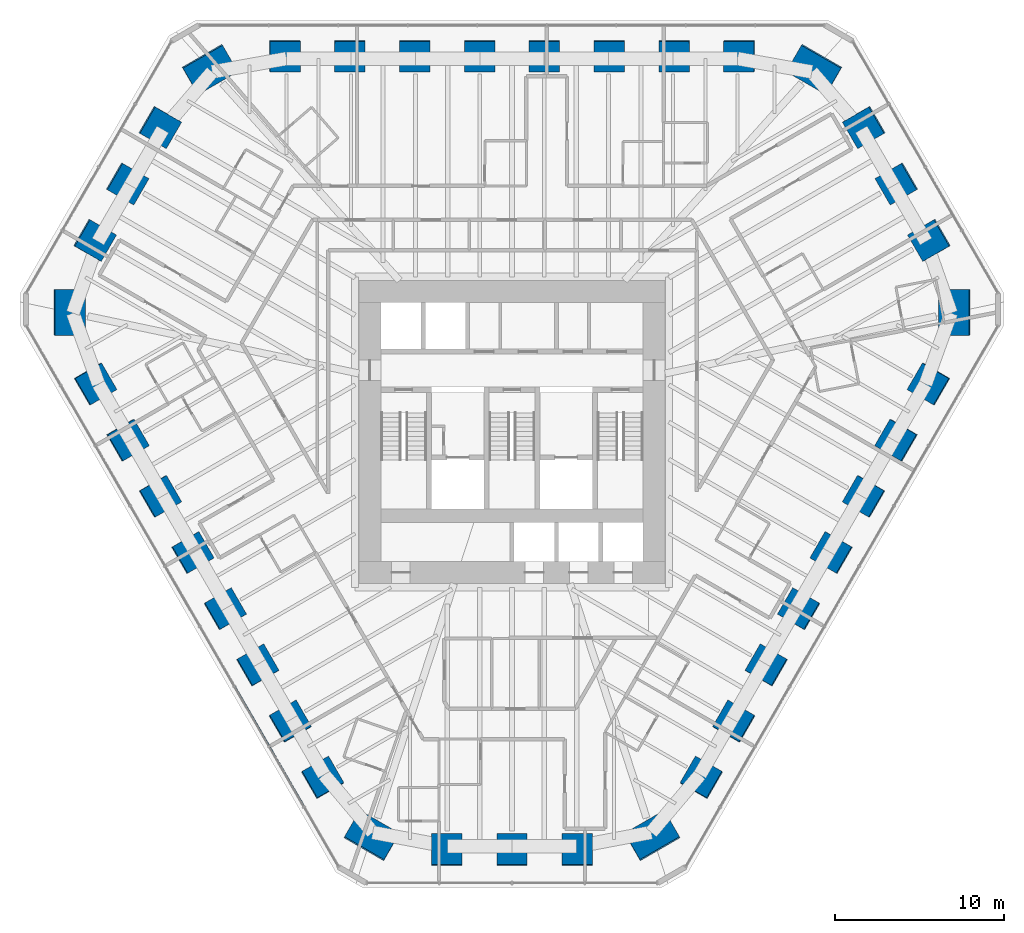
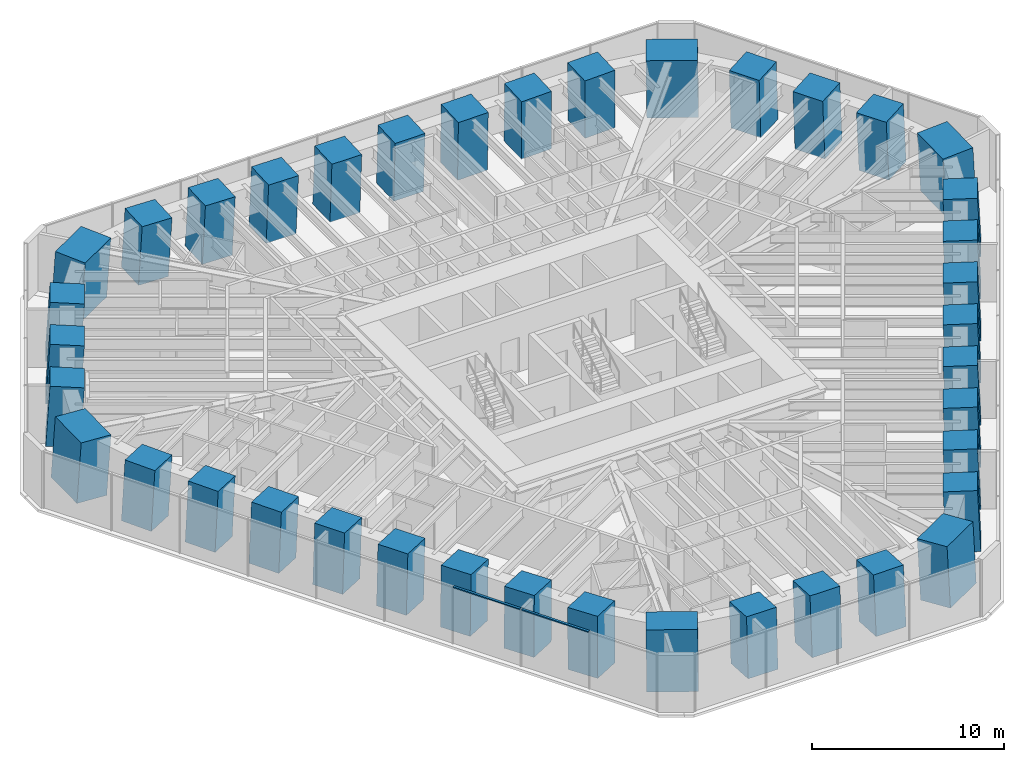
# One storey, part 1 of 17: 39 columns, 2 members, 1 element without a shape of its own.
"""IFC4 building model written with IfcOpenShell, lengths in metres."""

from ifc_helpers import new_model, si_unit, direction, frame, origin, origin_2d, place, context, subcontext, project, spatial, rectangle, extrude, material, material_profile, profile_set, type_object, element, aggregate, save


model = new_model("IFC4")

# Units and contexts
model_context = context("Model", 3, precision=1e-05, world=origin(), true_north=direction((0.0, 1.0)))
body_context = subcontext(model_context, "Body", "Model", "MODEL_VIEW")
ifc_project = project(units=[si_unit("LENGTHUNIT", "METRE"), si_unit("AREAUNIT", "SQUARE_METRE"), si_unit("VOLUMEUNIT", "CUBIC_METRE"), si_unit("PLANEANGLEUNIT", "RADIAN"), si_unit("MASSUNIT", "GRAM", prefix="KILO")], contexts=[model_context])

# Site, building, storey
site_placement = place(None, origin())
site = spatial("IfcSite", under=ifc_project, at=site_placement, CompositionType="ELEMENT")
building_placement = place(site_placement, origin())
building = spatial("IfcBuilding", under=site, at=building_placement, Name="Sandreach Pilgrim Tower", CompositionType="ELEMENT")
storey_placement = place(building_placement, frame((0.0, 0.0, 161.39990234375)))
storey = spatial("IfcBuildingStorey", under=building, at=storey_placement, Name="L40", CompositionType="ELEMENT", Elevation=161.39990234375)

# Columns
ifc_material_1 = material(Name="Concrete 10000 psi", Category="concrete")
ifc_material_profile_1 = material_profile(ifc_material_1, rectangle(XDim=1.800048828125, YDim=1.800048828125, at=origin_2d()), Name="RC1800X1800")
ifc_profile_set_1 = profile_set([ifc_material_profile_1], Name="Concrete 10000 psi")
column_type_1 = type_object("IfcColumnType", Name="Raked tube column RC1800X1800", PredefinedType="COLUMN", material=ifc_profile_set_1)
column_1_placement = place(storey_placement, frame((-13.4375, 20.69140625, 0.0), z_axis=(0.030661228378, -0.047210594322, 0.998414267155), x_axis=(0.001430243146, 0.998884958054, 0.047188928551)))
element("IfcColumn", 1, at=column_1_placement, inside=storey, type_object=column_type_1, Name="COL L40 T01", PredefinedType="COLUMN", context=body_context, shape_type="SweptSolid", body=[
    extrude(rectangle(XDim=1.800048828125, YDim=1.800048828125, at=origin_2d()), origin(), (0.0, 0.0, 1.0), 3.80615234375),
])
column_2_placement = place(storey_placement, frame((-9.598388671875, 20.691650390625, 0.0), z_axis=(0.021878437619, -0.047221495857, 0.998644813883), x_axis=(0.001498284872, 0.998884335352, 0.047199997152)))
element("IfcColumn", 2, at=column_2_placement, inside=storey, type_object=column_type_1, Name="COL L40 T02", PredefinedType="COLUMN", context=body_context, shape_type="SweptSolid", body=[
    extrude(rectangle(XDim=1.800048828125, YDim=1.800048828125, at=origin_2d()), origin(), (0.0, 0.0, 1.0), 3.80517578125),
])
column_3_placement = place(storey_placement, frame((-5.75927734375, 20.692138671875, 0.0), z_axis=(0.013154737098, -0.047228714653, 0.998797477672), x_axis=(0.000430917394, 0.998884083407, 0.047227134425)))
element("IfcColumn", 3, at=column_3_placement, inside=storey, type_object=column_type_1, Name="COL L40 T03", PredefinedType="COLUMN", context=body_context, shape_type="SweptSolid", body=[
    extrude(rectangle(XDim=1.800048828125, YDim=1.800048828125, at=origin_2d()), origin(), (0.0, 0.0, 1.0), 3.8046875),
])
for number, where, z_axis, x_axis, name in (
    (4, (-1.919677734375, 20.6923828125, 0.0), (0.004363858594, -0.047232351844, 0.998874397348), (0.000587857676, 0.998883856967, 0.047230230929), "COL L40 T04"),
    (5, (1.919677734375, 20.6923828125, 0.0), (-0.004363858594, -0.047232351844, 0.998874397348), (-0.000587857676, 0.998883856967, 0.047230230929), "COL L40 T05"),
):
    element("IfcColumn", number, at=place(storey_placement, frame(where, z_axis=z_axis, x_axis=x_axis)), inside=storey, type_object=column_type_1, Name=name, PredefinedType="COLUMN", context=body_context, shape_type="SweptSolid", body=[
        extrude(rectangle(XDim=1.800048828125, YDim=1.800048828125, at=origin_2d()), origin(), (0.0, 0.0, 1.0), 3.804443359375),
    ])
column_4_placement = place(storey_placement, frame((5.75927734375, 20.692138671875, 0.0), z_axis=(-0.013154737098, -0.047228714653, 0.998797477672), x_axis=(-0.000430917394, 0.998884083407, 0.047227134425)))
element("IfcColumn", 6, at=column_4_placement, inside=storey, type_object=column_type_1, Name="COL L40 T06", PredefinedType="COLUMN", context=body_context, shape_type="SweptSolid", body=[
    extrude(rectangle(XDim=1.800048828125, YDim=1.800048828125, at=origin_2d()), origin(), (0.0, 0.0, 1.0), 3.8046875),
])
column_5_placement = place(storey_placement, frame((9.598388671875, 20.691650390625, 0.0), z_axis=(-0.021878437619, -0.047221495857, 0.998644813883), x_axis=(-0.001498284872, 0.998884335352, 0.047199997152)))
element("IfcColumn", 7, at=column_5_placement, inside=storey, type_object=column_type_1, Name="COL L40 T07", PredefinedType="COLUMN", context=body_context, shape_type="SweptSolid", body=[
    extrude(rectangle(XDim=1.800048828125, YDim=1.800048828125, at=origin_2d()), origin(), (0.0, 0.0, 1.0), 3.80517578125),
])
column_6_placement = place(storey_placement, frame((13.4375, 20.69140625, 0.0), z_axis=(-0.030661228378, -0.047210594322, 0.998414267155), x_axis=(-0.001430243146, 0.998884958054, 0.047188928551)))
element("IfcColumn", 8, at=column_6_placement, inside=storey, type_object=column_type_1, Name="COL L40 T08", PredefinedType="COLUMN", context=body_context, shape_type="SweptSolid", body=[
    extrude(rectangle(XDim=1.800048828125, YDim=1.800048828125, at=origin_2d()), origin(), (0.0, 0.0, 1.0), 3.80615234375),
])
column_7_placement = place(storey_placement, frame((20.809326171875, 16.466552734375, 0.0), z_axis=(-0.046752521918, -0.037004396634, 0.998220855484), x_axis=(0.864714175605, 0.498788120692, 0.058989873412)))
element("IfcColumn", 9, at=column_7_placement, inside=storey, type_object=column_type_1, Name="COL L40 T10", PredefinedType="COLUMN", context=body_context, shape_type="SweptSolid", body=[
    extrude(rectangle(XDim=1.800048828125, YDim=1.800048828125, at=origin_2d()), origin(), (0.0, 0.0, 1.0), 3.806884765625),
])
column_8_placement = place(storey_placement, frame((22.737548828125, 13.127685546875, 0.0), z_axis=(-0.051115371342, -0.029501970913, 0.998256907076), x_axis=(0.864585430267, 0.499007902036, 0.059018196136)))
element("IfcColumn", 10, at=column_8_placement, inside=storey, type_object=column_type_1, Name="COL L40 T11", PredefinedType="COLUMN", context=body_context, shape_type="SweptSolid", body=[
    extrude(rectangle(XDim=1.800048828125, YDim=1.800048828125, at=origin_2d()), origin(), (0.0, 0.0, 1.0), 3.806640625),
])
column_9_placement = place(storey_placement, frame((24.6650390625, 9.7880859375, 0.0), z_axis=(-0.055410421986, -0.021997424469, 0.99822131737), x_axis=(0.864198060677, 0.499682708675, 0.058982222519)))
element("IfcColumn", 11, at=column_9_placement, inside=storey, type_object=column_type_1, Name="COL L40 T12", PredefinedType="COLUMN", context=body_context, shape_type="SweptSolid", body=[
    extrude(rectangle(XDim=1.800048828125, YDim=1.800048828125, at=origin_2d()), origin(), (0.0, 0.0, 1.0), 3.806884765625),
])
column_10_placement = place(storey_placement, frame((24.637939453125, 1.29150390625, 0.0), z_axis=(-0.056190949949, -0.002950666322, 0.998415680322), x_axis=(0.864380324341, -0.500621456598, 0.047167913724)))
element("IfcColumn", 12, at=column_10_placement, inside=storey, type_object=column_type_1, Name="COL L40 T14", PredefinedType="COLUMN", context=body_context, shape_type="SweptSolid", body=[
    extrude(rectangle(XDim=1.800048828125, YDim=1.800048828125, at=origin_2d()), origin(), (0.0, 0.0, 1.0), 3.80615234375),
])
column_11_placement = place(storey_placement, frame((22.71875, -2.033447265625, 0.0), z_axis=(-0.05184096697, 0.004683651719, 0.998644369909), x_axis=(0.8641219969, -0.501063474394, 0.047207722912)))
element("IfcColumn", 13, at=column_11_placement, inside=storey, type_object=column_type_1, Name="COL L40 T15", PredefinedType="COLUMN", context=body_context, shape_type="SweptSolid", body=[
    extrude(rectangle(XDim=1.800048828125, YDim=1.800048828125, at=origin_2d()), origin(), (0.0, 0.0, 1.0), 3.80517578125),
])
column_12_placement = place(storey_placement, frame((20.799560546875, -5.3583984375, 0.0), z_axis=(-0.047485394503, 0.012192195886, 0.998797520856), x_axis=(0.865155048747, -0.499275895122, 0.047226286935)))
element("IfcColumn", 14, at=column_12_placement, inside=storey, type_object=column_type_1, Name="COL L40 T16", PredefinedType="COLUMN", context=body_context, shape_type="SweptSolid", body=[
    extrude(rectangle(XDim=1.800048828125, YDim=1.800048828125, at=origin_2d()), origin(), (0.0, 0.0, 1.0), 3.8046875),
])
for number, where, z_axis, x_axis, name in (
    (15, (18.880126953125, -8.68359375, 0.0), (-0.043125124656, 0.019829856427, 0.998872864992), (0.865002196318, -0.499537256443, 0.047262350669), "COL L40 T17"),
    (16, (16.960205078125, -12.0087890625, 0.0), (-0.038697188268, 0.027402486551, 0.998875183069), (0.865138563863, -0.499305644722, 0.047213752927), "COL L40 T18"),
):
    element("IfcColumn", number, at=place(storey_placement, frame(where, z_axis=z_axis, x_axis=x_axis)), inside=storey, type_object=column_type_1, Name=name, PredefinedType="COLUMN", context=body_context, shape_type="SweptSolid", body=[
        extrude(rectangle(XDim=1.800048828125, YDim=1.800048828125, at=origin_2d()), origin(), (0.0, 0.0, 1.0), 3.804443359375),
    ])
column_13_placement = place(storey_placement, frame((15.040283203125, -15.33349609375, 0.0), z_axis=(-0.034330688643, 0.034972383758, 0.99879844623), x_axis=(0.86556895094, -0.498559709879, 0.047208122752)))
element("IfcColumn", 17, at=column_13_placement, inside=storey, type_object=column_type_1, Name="COL L40 T19", PredefinedType="COLUMN", context=body_context, shape_type="SweptSolid", body=[
    extrude(rectangle(XDim=1.800048828125, YDim=1.800048828125, at=origin_2d()), origin(), (0.0, 0.0, 1.0), 3.8046875),
])
column_14_placement = place(storey_placement, frame((13.120361328125, -18.658447265625, 0.0), z_axis=(-0.029962490236, 0.042601913311, 0.998642742006), x_axis=(0.865617982926, -0.498471929182, 0.047236039769)))
element("IfcColumn", 18, at=column_14_placement, inside=storey, type_object=column_type_1, Name="COL L40 T20", PredefinedType="COLUMN", context=body_context, shape_type="SweptSolid", body=[
    extrude(rectangle(XDim=1.800048828125, YDim=1.800048828125, at=origin_2d()), origin(), (0.0, 0.0, 1.0), 3.80517578125),
])
column_15_placement = place(storey_placement, frame((11.200439453125, -21.98291015625, 0.0), z_axis=(-0.025529655274, 0.050161282473, 0.998414784767), x_axis=(0.865565037486, -0.498569049576, 0.04718123236)))
element("IfcColumn", 19, at=column_15_placement, inside=storey, type_object=column_type_1, Name="COL L40 T21", PredefinedType="COLUMN", context=body_context, shape_type="SweptSolid", body=[
    extrude(rectangle(XDim=1.800048828125, YDim=1.800048828125, at=origin_2d()), origin(), (0.0, 0.0, 1.0), 3.80615234375),
])
column_16_placement = place(storey_placement, frame((3.855712890625, -26.254638671875, 0.0), z_axis=(-0.008657869889, 0.059001779984, 0.998220332015), x_axis=(-0.000629006962, -0.998257870617, 0.058998543208)))
element("IfcColumn", 20, at=column_16_placement, inside=storey, type_object=column_type_1, Name="COL L40 T23", PredefinedType="COLUMN", context=body_context, shape_type="SweptSolid", body=[
    extrude(rectangle(XDim=1.800048828125, YDim=1.800048828125, at=origin_2d()), origin(), (0.0, 0.0, 1.0), 3.806884765625),
])
column_17_placement = place(storey_placement, frame((0.0, -26.255126953125, 0.0), z_axis=(0.0, 0.059003991457, 0.998257746773), x_axis=(0.0, -0.998257746773, 0.059003991457)))
element("IfcColumn", 21, at=column_17_placement, inside=storey, type_object=column_type_1, Name="COL L40 T24", PredefinedType="COLUMN", context=body_context, shape_type="SweptSolid", body=[
    extrude(rectangle(XDim=1.800048828125, YDim=1.800048828125, at=origin_2d()), origin(), (0.0, 0.0, 1.0), 3.806640625),
])
column_18_placement = place(storey_placement, frame((-3.855712890625, -26.254638671875, 0.0), z_axis=(0.008657869889, 0.059001779984, 0.998220332015), x_axis=(0.000629006962, -0.998257870617, 0.058998543208)))
element("IfcColumn", 22, at=column_18_placement, inside=storey, type_object=column_type_1, Name="COL L40 T25", PredefinedType="COLUMN", context=body_context, shape_type="SweptSolid", body=[
    extrude(rectangle(XDim=1.800048828125, YDim=1.800048828125, at=origin_2d()), origin(), (0.0, 0.0, 1.0), 3.806884765625),
])
column_19_placement = place(storey_placement, frame((-11.200439453125, -21.98291015625, 0.0), z_axis=(0.025529655274, 0.050161282473, 0.998414784767), x_axis=(-0.865565037486, -0.498569049576, 0.04718123236)))
element("IfcColumn", 23, at=column_19_placement, inside=storey, type_object=column_type_1, Name="COL L40 T27", PredefinedType="COLUMN", context=body_context, shape_type="SweptSolid", body=[
    extrude(rectangle(XDim=1.800048828125, YDim=1.800048828125, at=origin_2d()), origin(), (0.0, 0.0, 1.0), 3.80615234375),
])
column_20_placement = place(storey_placement, frame((-13.120361328125, -18.658447265625, 0.0), z_axis=(0.029962490236, 0.042601913311, 0.998642742006), x_axis=(-0.865617982926, -0.498471929182, 0.047236039769)))
element("IfcColumn", 24, at=column_20_placement, inside=storey, type_object=column_type_1, Name="COL L40 T28", PredefinedType="COLUMN", context=body_context, shape_type="SweptSolid", body=[
    extrude(rectangle(XDim=1.800048828125, YDim=1.800048828125, at=origin_2d()), origin(), (0.0, 0.0, 1.0), 3.80517578125),
])
column_21_placement = place(storey_placement, frame((-15.040283203125, -15.33349609375, 0.0), z_axis=(0.034330688643, 0.034972383758, 0.99879844623), x_axis=(-0.86556895094, -0.498559709879, 0.047208122752)))
element("IfcColumn", 25, at=column_21_placement, inside=storey, type_object=column_type_1, Name="COL L40 T29", PredefinedType="COLUMN", context=body_context, shape_type="SweptSolid", body=[
    extrude(rectangle(XDim=1.800048828125, YDim=1.800048828125, at=origin_2d()), origin(), (0.0, 0.0, 1.0), 3.8046875),
])
for number, where, z_axis, x_axis, name in (
    (26, (-16.960205078125, -12.0087890625, 0.0), (0.038697188268, 0.027402486551, 0.998875183069), (-0.865138563863, -0.499305644722, 0.047213752927), "COL L40 T30"),
    (27, (-18.880126953125, -8.68359375, 0.0), (0.043125124656, 0.019829856427, 0.998872864992), (-0.865002196318, -0.499537256443, 0.047262350669), "COL L40 T31"),
):
    element("IfcColumn", number, at=place(storey_placement, frame(where, z_axis=z_axis, x_axis=x_axis)), inside=storey, type_object=column_type_1, Name=name, PredefinedType="COLUMN", context=body_context, shape_type="SweptSolid", body=[
        extrude(rectangle(XDim=1.800048828125, YDim=1.800048828125, at=origin_2d()), origin(), (0.0, 0.0, 1.0), 3.804443359375),
    ])
column_22_placement = place(storey_placement, frame((-20.799560546875, -5.3583984375, 0.0), z_axis=(0.047485394503, 0.012192195886, 0.998797520856), x_axis=(-0.865155048747, -0.499275895122, 0.047226286935)))
element("IfcColumn", 28, at=column_22_placement, inside=storey, type_object=column_type_1, Name="COL L40 T32", PredefinedType="COLUMN", context=body_context, shape_type="SweptSolid", body=[
    extrude(rectangle(XDim=1.800048828125, YDim=1.800048828125, at=origin_2d()), origin(), (0.0, 0.0, 1.0), 3.8046875),
])
column_23_placement = place(storey_placement, frame((-22.71875, -2.033447265625, 0.0), z_axis=(0.05184096697, 0.004683651719, 0.998644369909), x_axis=(-0.8641219969, -0.501063474394, 0.047207722912)))
element("IfcColumn", 29, at=column_23_placement, inside=storey, type_object=column_type_1, Name="COL L40 T33", PredefinedType="COLUMN", context=body_context, shape_type="SweptSolid", body=[
    extrude(rectangle(XDim=1.800048828125, YDim=1.800048828125, at=origin_2d()), origin(), (0.0, 0.0, 1.0), 3.80517578125),
])
column_24_placement = place(storey_placement, frame((-24.637939453125, 1.29150390625, 0.0), z_axis=(0.056190949949, -0.002950666322, 0.998415680322), x_axis=(-0.864380324341, -0.500621456598, 0.047167913724)))
element("IfcColumn", 30, at=column_24_placement, inside=storey, type_object=column_type_1, Name="COL L40 T34", PredefinedType="COLUMN", context=body_context, shape_type="SweptSolid", body=[
    extrude(rectangle(XDim=1.800048828125, YDim=1.800048828125, at=origin_2d()), origin(), (0.0, 0.0, 1.0), 3.80615234375),
])
column_25_placement = place(storey_placement, frame((-24.6650390625, 9.7880859375, 0.0), z_axis=(0.055410421986, -0.021997424469, 0.99822131737), x_axis=(-0.864198060677, 0.499682708675, 0.058982222519)))
element("IfcColumn", 31, at=column_25_placement, inside=storey, type_object=column_type_1, Name="COL L40 T36", PredefinedType="COLUMN", context=body_context, shape_type="SweptSolid", body=[
    extrude(rectangle(XDim=1.800048828125, YDim=1.800048828125, at=origin_2d()), origin(), (0.0, 0.0, 1.0), 3.806884765625),
])
column_26_placement = place(storey_placement, frame((-22.737548828125, 13.127685546875, 0.0), z_axis=(0.051115371342, -0.029501970913, 0.998256907076), x_axis=(-0.864585430267, 0.499007902036, 0.059018196136)))
element("IfcColumn", 32, at=column_26_placement, inside=storey, type_object=column_type_1, Name="COL L40 T37", PredefinedType="COLUMN", context=body_context, shape_type="SweptSolid", body=[
    extrude(rectangle(XDim=1.800048828125, YDim=1.800048828125, at=origin_2d()), origin(), (0.0, 0.0, 1.0), 3.806640625),
])
column_27_placement = place(storey_placement, frame((-20.809326171875, 16.466552734375, 0.0), z_axis=(0.046752521918, -0.037004396634, 0.998220855484), x_axis=(-0.864714175605, 0.498788120692, 0.058989873412)))
element("IfcColumn", 33, at=column_27_placement, inside=storey, type_object=column_type_1, Name="COL L40 T38", PredefinedType="COLUMN", context=body_context, shape_type="SweptSolid", body=[
    extrude(rectangle(XDim=1.800048828125, YDim=1.800048828125, at=origin_2d()), origin(), (0.0, 0.0, 1.0), 3.806884765625),
])
ifc_material_2 = material(Name="Concrete 10000 psi", Category="concrete")
ifc_material_profile_2 = material_profile(ifc_material_2, rectangle(XDim=1.800048828125, YDim=2.699951171875, at=origin_2d()), Name="RC1800X2700")
ifc_profile_set_2 = profile_set([ifc_material_profile_2], Name="Concrete 10000 psi")
column_type_2 = type_object("IfcColumnType", Name="Raked tube corner pier RC1800X2700", PredefinedType="COLUMN", material=ifc_profile_set_2)
for number, where, z_axis, x_axis, name in (
    (34, (17.866943359375, 19.897705078125, 0.0), (-0.041104111089, -0.045785234505, 0.998105287208), (0.498342902409, 0.864887659108, 0.060197082496), "COL L40 T09"),
    (35, (26.16552734375, 5.5244140625, 0.0), (-0.06021332392, -0.012696739229, 0.998104778285), (0.998185498237, -0.001024676941, 0.060205158806), "COL L40 T13"),
    (36, (8.298583984375, -25.422119140625, 0.0), (-0.019109248601, 0.058481995719, 0.998105551931), (0.500012624267, -0.863923719226, 0.060192881077), "COL L40 T22"),
    (37, (-8.298583984375, -25.422119140625, 0.0), (0.019109248601, 0.058481995719, 0.998105551931), (-0.500012624267, -0.863923719226, 0.060192881077), "COL L40 T26"),
    (38, (-26.16552734375, 5.5244140625, 0.0), (0.06021332392, -0.012696739229, 0.998104778285), (-0.998185498237, -0.001024676941, 0.060205158806), "COL L40 T35"),
    (39, (-17.866943359375, 19.897705078125, 0.0), (0.041104111089, -0.045785234505, 0.998105287208), (-0.498342902409, 0.864887659108, 0.060197082496), "COL L40 T39"),
):
    element("IfcColumn", number, at=place(storey_placement, frame(where, z_axis=z_axis, x_axis=x_axis)), inside=storey, type_object=column_type_2, Name=name, PredefinedType="COLUMN", context=body_context, shape_type="SweptSolid", body=[
        extrude(rectangle(XDim=1.800048828125, YDim=2.699951171875, at=origin_2d()), origin(), (0.0, 0.0, 1.0), 3.807373046875),
    ])

# Curtain wall, members
ifc_material_3 = material(Name="Aluminium framed curtain wall", Category="aluminium")
curtain_wall_type = type_object("IfcCurtainWallType", Name="Hotel tower curtain wall", PredefinedType="NOTDEFINED", material=ifc_material_3)
curtain_wall_placement = place(storey_placement, origin())
curtain_wall = element("IfcCurtainWall", 40, at=curtain_wall_placement, inside=storey, type_object=curtain_wall_type, Name="CW-2 L40 SW", PredefinedType="NOTDEFINED")
ifc_material_4 = material(Name="Aluminium extrusion", Category="aluminium")
ifc_material_profile_3 = material_profile(ifc_material_4, rectangle(XDim=0.139892578125, YDim=0.070068359375, at=origin_2d()), Name="CW-2T 140X70")
ifc_profile_set_3 = profile_set([ifc_material_profile_3], Name="Aluminium extrusion")
member_type = type_object("IfcMemberType", Name="CW-2 transom", PredefinedType="USERDEFINED", material=ifc_profile_set_3)
member_1_placement = place(storey_placement, frame((-12.309326171875, -23.667236328125, 3.60498046875), z_axis=(-0.500023973715, 0.866011562111, 0.0), x_axis=(-0.866011562111, -0.500023973715, 0.0)))
member_1 = element("IfcMember", 41, at=member_1_placement, type_object=member_type, Name="CW-2 head transom 2", ObjectType="TRANSOM", PredefinedType="USERDEFINED", context=body_context, shape_type="SweptSolid", body=[
    extrude(rectangle(XDim=0.139892578125, YDim=0.070068359375, at=origin_2d()), origin(), (0.0, 0.0, 1.0), 4.041748046875),
])
member_2_placement = place(storey_placement, frame((-14.36279296875, -20.110595703125, 3.60498046875), z_axis=(-0.499997818338, 0.866026663364, 0.0), x_axis=(-0.866026663364, -0.499997818338, 0.0)))
member_2 = element("IfcMember", 42, at=member_2_placement, type_object=member_type, Name="CW-2 head transom 3", ObjectType="TRANSOM", PredefinedType="USERDEFINED", context=body_context, shape_type="SweptSolid", body=[
    extrude(rectangle(XDim=0.139892578125, YDim=0.070068359375, at=origin_2d()), origin(), (0.0, 0.0, 1.0), 4.0419921875),
])
aggregate(curtain_wall, [member_1, member_2])

save(model, "model.ifc")
